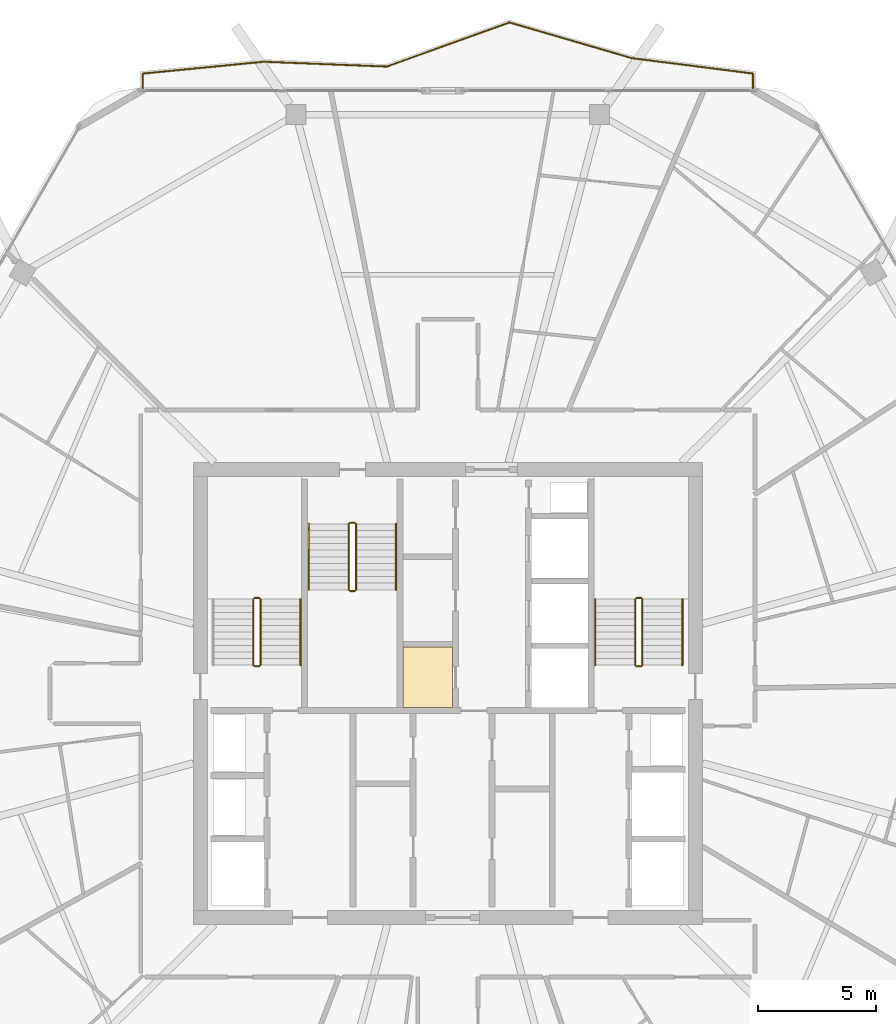
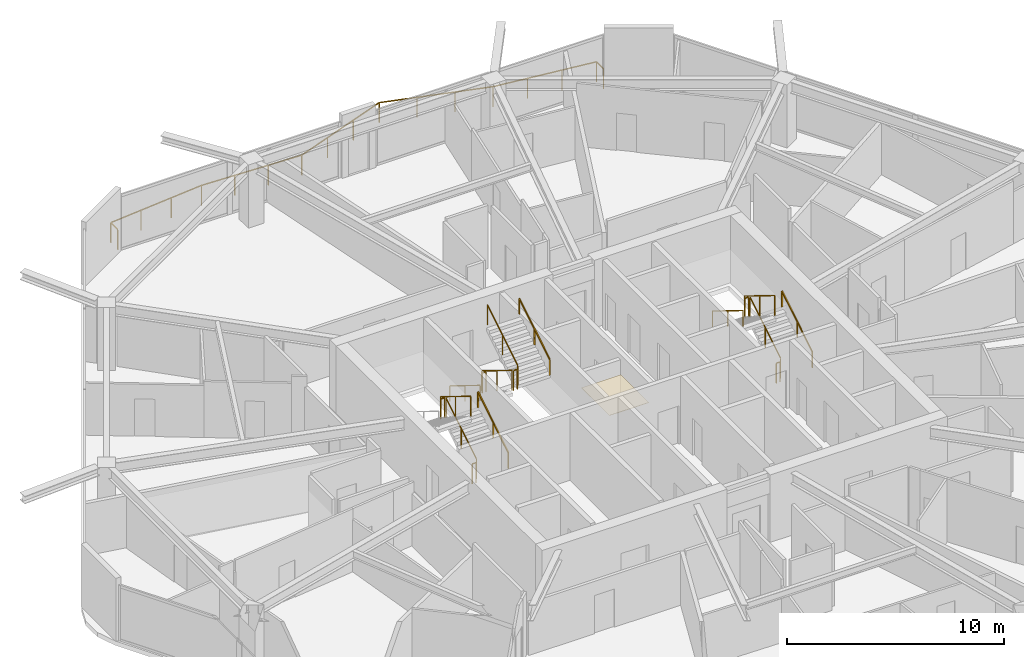
# One storey, part 26 of 26: 18 railings, 1 covering.
"""IFC4 building model written with IfcOpenShell, lengths in metres."""

from ifc_helpers import new_model, si_unit, direction, frame, origin, origin_2d, place, context, subcontext, project, spatial, polyline, rectangle, outline, extrude, material, layer, layer_set, type_object, element, save


model = new_model("IFC4")

# Units and contexts
model_context = context("Model", 3, precision=1e-05, world=origin(), true_north=direction((0.0, 1.0)))
body_context = subcontext(model_context, "Body", "Model", "MODEL_VIEW")
ifc_project = project(units=[si_unit("LENGTHUNIT", "METRE"), si_unit("AREAUNIT", "SQUARE_METRE"), si_unit("VOLUMEUNIT", "CUBIC_METRE"), si_unit("PLANEANGLEUNIT", "RADIAN"), si_unit("MASSUNIT", "GRAM", prefix="KILO")], contexts=[model_context])

# Site, building, storey
site_placement = place(None, origin())
site = spatial("IfcSite", under=ifc_project, at=site_placement, CompositionType="ELEMENT")
building_placement = place(site_placement, origin())
building = spatial("IfcBuilding", under=site, at=building_placement, Name="Zuhravey Tower", CompositionType="ELEMENT")
storey_placement = place(building_placement, frame((0.0, 0.0, 288.199951171875)))
storey = spatial("IfcBuildingStorey", under=building, at=storey_placement, Name="L73", CompositionType="ELEMENT", Elevation=288.199951171875)

# Railing
ifc_material_1 = material(Name="Stainless steel 316 and laminated glass", Category="steel")
railing_type_1 = type_object("IfcRailingType", Name="Balcony & Terrace Guardrail 1150", PredefinedType="BALUSTRADE", material=ifc_material_1)
railing_1_placement = place(storey_placement, frame((23.058349609375, 57.648681640625, 0.0)))
element("IfcRailing", 1, at=railing_1_placement, inside=storey, type_object=railing_type_1, Name="L73 Face 2 Wave Balcony Guardrail GR1", PredefinedType="BALUSTRADE", context=body_context, shape_type="SweptSolid", body=[
    extrude(rectangle(XDim=0.048095703125, YDim=0.048095703125, at=origin_2d()), frame((0.0, 0.001953125, 1.1259765625), z_axis=(0.0, 1.0, 0.0), x_axis=(-1.0, 0.0, 0.0)), (0.0, 0.0, 1.0), 0.645263671875),
    extrude(rectangle(XDim=0.048095703125, YDim=0.048095703125, at=origin_2d()), frame((0.001953125, 0.6494140625, 1.1259765625), z_axis=(0.995218760831, 0.097670968516, 0.0), x_axis=(-0.097670968516, 0.995218760831, 0.0)), (0.0, 0.0, 1.0), 5.14013671875),
    extrude(rectangle(XDim=0.048095703125, YDim=0.048095703125, at=origin_2d()), frame((5.12158203125, 1.151611328125, 1.1259765625), z_axis=(0.999235528272, -0.039094232816, 0.0), x_axis=(0.039094232816, 0.999235528272, 0.0)), (0.0, 0.0, 1.0), 5.229248046875),
    extrude(rectangle(XDim=0.048095703125, YDim=0.048095703125, at=origin_2d()), frame((10.350830078125, 0.94775390625, 1.1259765625), z_axis=(0.941043758184, 0.338284858046, 0.0), x_axis=(-0.338284858046, 0.941043758184, 0.0)), (0.0, 0.0, 1.0), 5.5263671875),
    extrude(rectangle(XDim=0.048095703125, YDim=0.048095703125, at=origin_2d()), frame((15.55517578125, 2.8173828125, 1.1259765625), z_axis=(0.960061143699, -0.279790279244, 0.0), x_axis=(0.279790279244, 0.960061143699, 0.0)), (0.0, 0.0, 1.0), 5.405029296875),
    extrude(rectangle(XDim=0.048095703125, YDim=0.048095703125, at=origin_2d()), frame((20.748291015625, 1.30419921875, 1.1259765625), z_axis=(0.992027087702, -0.126024827975, 0.0), x_axis=(0.126024827975, 0.992027087702, 0.0)), (0.0, 0.0, 1.0), 5.17431640625),
    extrude(rectangle(XDim=0.048095703125, YDim=0.048095703125, at=origin_2d()), frame((25.88330078125, 0.64990234375, 1.1259765625), z_axis=(0.0, -1.0, 0.0), x_axis=(1.0, 0.0, 0.0)), (0.0, 0.0, 1.0), 0.64794921875),
    extrude(rectangle(XDim=0.0419921875, YDim=0.0419921875, at=origin_2d()), origin(), (0.0, 0.0, 1.0), 1.099853515625),
    extrude(rectangle(XDim=0.0419921875, YDim=0.0419921875, at=origin_2d()), frame((0.0, 0.649169921875, 0.0)), (0.0, 0.0, 1.0), 1.099853515625),
    extrude(rectangle(XDim=0.0419921875, YDim=0.0419921875, at=origin_2d()), frame((1.70654296875, 0.816650390625, 0.0)), (0.0, 0.0, 1.0), 1.099853515625),
    extrude(rectangle(XDim=0.0419921875, YDim=0.0419921875, at=origin_2d()), frame((3.4130859375, 0.984130859375, 0.0)), (0.0, 0.0, 1.0), 1.099853515625),
    extrude(rectangle(XDim=0.0419921875, YDim=0.0419921875, at=origin_2d()), frame((5.11962890625, 1.151611328125, 0.0)), (0.0, 0.0, 1.0), 1.099853515625),
    extrude(rectangle(XDim=0.0419921875, YDim=0.0419921875, at=origin_2d()), frame((6.86279296875, 1.08349609375, 0.0)), (0.0, 0.0, 1.0), 1.099853515625),
    extrude(rectangle(XDim=0.0419921875, YDim=0.0419921875, at=origin_2d()), frame((8.605712890625, 1.01513671875, 0.0)), (0.0, 0.0, 1.0), 1.099853515625),
    extrude(rectangle(XDim=0.0419921875, YDim=0.0419921875, at=origin_2d()), frame((10.348876953125, 0.947021484375, 0.0)), (0.0, 0.0, 1.0), 1.099853515625),
    extrude(rectangle(XDim=0.0419921875, YDim=0.0419921875, at=origin_2d()), frame((12.083740234375, 1.570556640625, 0.0)), (0.0, 0.0, 1.0), 1.099853515625),
    extrude(rectangle(XDim=0.0419921875, YDim=0.0419921875, at=origin_2d()), frame((13.818359375, 2.1943359375, 0.0)), (0.0, 0.0, 1.0), 1.099853515625),
    extrude(rectangle(XDim=0.0419921875, YDim=0.0419921875, at=origin_2d()), frame((15.55322265625, 2.81787109375, 0.0)), (0.0, 0.0, 1.0), 1.099853515625),
    extrude(rectangle(XDim=0.0419921875, YDim=0.0419921875, at=origin_2d()), frame((17.2841796875, 2.3134765625, 0.0)), (0.0, 0.0, 1.0), 1.099853515625),
    extrude(rectangle(XDim=0.0419921875, YDim=0.0419921875, at=origin_2d()), frame((19.015380859375, 1.808837890625, 0.0)), (0.0, 0.0, 1.0), 1.099853515625),
    extrude(rectangle(XDim=0.0419921875, YDim=0.0419921875, at=origin_2d()), frame((20.746337890625, 1.304443359375, 0.0)), (0.0, 0.0, 1.0), 1.099853515625),
    extrude(rectangle(XDim=0.0419921875, YDim=0.0419921875, at=origin_2d()), frame((22.458740234375, 1.0869140625, 0.0)), (0.0, 0.0, 1.0), 1.099853515625),
    extrude(rectangle(XDim=0.0419921875, YDim=0.0419921875, at=origin_2d()), frame((24.1708984375, 0.869384765625, 0.0)), (0.0, 0.0, 1.0), 1.099853515625),
    extrude(rectangle(XDim=0.0419921875, YDim=0.0419921875, at=origin_2d()), frame((25.88330078125, 0.65185546875, 0.0)), (0.0, 0.0, 1.0), 1.099853515625),
    extrude(rectangle(XDim=0.0419921875, YDim=0.0419921875, at=origin_2d()), frame((25.88330078125, 0.0, 0.0)), (0.0, 0.0, 1.0), 1.099853515625),
])

# Covering
ifc_material_2 = material(Name="Moisture-resistant gypsum ceiling board")
ifc_layer = layer(ifc_material_2, 0.02001953125)
ifc_layer_set = layer_set([ifc_layer], Name="Moisture-resistant gypsum ceiling board")
covering_type = type_object("IfcCoveringType", Name="Moisture-Resistant Ceiling", PredefinedType="CEILING", material=ifc_layer_set)
covering_placement = place(storey_placement, frame((0.0, 0.0, 2.68994140625)))
element("IfcCovering", 2, at=covering_placement, inside=storey, type_object=covering_type, Name="L73 Wet-Room Ceiling CLG2", PredefinedType="CEILING", context=body_context, shape_type="SweptSolid", body=[
    extrude(outline(polyline([(36.199951171875, 31.39990234375), (36.199951171875, 33.97998046875), (34.10009765625, 33.97998046875), (34.10009765625, 31.39990234375), (36.199951171875, 31.39990234375)])), origin(), (0.0, 0.0, 1.0), 0.02001953125),
])

# Railings
ifc_material_3 = material(Name="Brushed stainless steel", Category="steel")
railing_type_2 = type_object("IfcRailingType", Name="Stair Wall Handrail 900", PredefinedType="HANDRAIL", material=ifc_material_3)
for number, where, name in (
    (3, (29.75, 33.199951171875, 0.1728515625), "L73 ST1 stair handrail 1"),
    (4, (45.949951171875, 33.199951171875, 0.1728515625), "L73 ST2 stair handrail 1"),
):
    element("IfcRailing", number, at=place(storey_placement, frame(where)), inside=storey, type_object=railing_type_2, Name=name, PredefinedType="HANDRAIL", context=body_context, shape_type="SweptSolid", body=[
        extrude(rectangle(XDim=0.048095703125, YDim=0.048095703125, at=origin_2d()), frame((0.0, 0.001708984375, 0.876953125), z_axis=(0.0, 0.851089632645, 0.525020415988), x_axis=(-1.0, 0.0, 0.0)), (0.0, 0.0, 1.0), 3.285888671875),
        extrude(rectangle(XDim=0.0419921875, YDim=0.0419921875, at=origin_2d()), origin(), (0.0, 0.0, 1.0), 0.849853515625),
        extrude(rectangle(XDim=0.0419921875, YDim=0.0419921875, at=origin_2d()), frame((0.0, 1.39990234375, 0.86376953125)), (0.0, 0.0, 1.0), 0.849853515625),
        extrude(rectangle(XDim=0.0419921875, YDim=0.0419921875, at=origin_2d()), frame((0.0, 2.800048828125, 1.727294921875)), (0.0, 0.0, 1.0), 0.849853515625),
    ])
for number, where, name in (
    (5, (42.25, 36.0, 2.07275390625), "L73 ST2 stair handrail 2"),
    (6, (30.10009765625, 39.199951171875, 0.1728515625), "L73 ST3 stair handrail 1"),
):
    element("IfcRailing", number, at=place(storey_placement, frame(where)), inside=storey, type_object=railing_type_2, Name=name, PredefinedType="HANDRAIL", context=body_context, shape_type="SweptSolid", body=[
        extrude(rectangle(XDim=0.048095703125, YDim=0.048095703125, at=origin_2d()), frame((0.0, -0.001708984375, 0.876953125), z_axis=(0.0, -0.851089632645, 0.525020415988), x_axis=(1.0, 0.0, 0.0)), (0.0, 0.0, 1.0), 3.285888671875),
        extrude(rectangle(XDim=0.0419921875, YDim=0.0419921875, at=origin_2d()), origin(), (0.0, 0.0, 1.0), 0.849853515625),
        extrude(rectangle(XDim=0.0419921875, YDim=0.0419921875, at=origin_2d()), frame((0.0, -1.39990234375, 0.86376953125)), (0.0, 0.0, 1.0), 0.849853515625),
        extrude(rectangle(XDim=0.0419921875, YDim=0.0419921875, at=origin_2d()), frame((0.0, -2.800048828125, 1.727294921875)), (0.0, 0.0, 1.0), 0.849853515625),
    ])
railing_2_placement = place(storey_placement, frame((33.800048828125, 36.39990234375, 2.07275390625)))
element("IfcRailing", 7, at=railing_2_placement, inside=storey, type_object=railing_type_2, Name="L73 ST3 stair handrail 2", PredefinedType="HANDRAIL", context=body_context, shape_type="SweptSolid", body=[
    extrude(rectangle(XDim=0.048095703125, YDim=0.048095703125, at=origin_2d()), frame((0.0, 0.001708984375, 0.876953125), z_axis=(0.0, 0.851089632645, 0.525020415988), x_axis=(-1.0, 0.0, 0.0)), (0.0, 0.0, 1.0), 3.285888671875),
    extrude(rectangle(XDim=0.0419921875, YDim=0.0419921875, at=origin_2d()), origin(), (0.0, 0.0, 1.0), 0.849853515625),
    extrude(rectangle(XDim=0.0419921875, YDim=0.0419921875, at=origin_2d()), frame((0.0, 1.39990234375, 0.86376953125)), (0.0, 0.0, 1.0), 0.849853515625),
    extrude(rectangle(XDim=0.0419921875, YDim=0.0419921875, at=origin_2d()), frame((0.0, 2.800048828125, 1.727294921875)), (0.0, 0.0, 1.0), 0.849853515625),
])
ifc_material_4 = material(Name="Painted tubular steel", Category="steel")
railing_type_3 = type_object("IfcRailingType", Name="Stair Well Guardrail 1150", PredefinedType="GUARDRAIL", material=ifc_material_4)
railing_3_placement = place(storey_placement, frame((28.050048828125, 33.199951171875, 0.1728515625)))
element("IfcRailing", 8, at=railing_3_placement, inside=storey, type_object=railing_type_3, Name="L73 ST1 stair guard 1", PredefinedType="GUARDRAIL", context=body_context, shape_type="SweptSolid", body=[
    extrude(rectangle(XDim=0.048095703125, YDim=0.048095703125, at=origin_2d()), frame((0.0, 0.001708984375, 1.126953125), z_axis=(0.0, 0.851089632645, 0.525020415988), x_axis=(-1.0, 0.0, 0.0)), (0.0, 0.0, 1.0), 3.285888671875),
    extrude(rectangle(XDim=0.0419921875, YDim=0.0419921875, at=origin_2d()), origin(), (0.0, 0.0, 1.0), 1.099853515625),
    extrude(rectangle(XDim=0.0419921875, YDim=0.0419921875, at=origin_2d()), frame((0.0, 1.39990234375, 0.86376953125)), (0.0, 0.0, 1.0), 1.099853515625),
    extrude(rectangle(XDim=0.0419921875, YDim=0.0419921875, at=origin_2d()), frame((0.0, 2.800048828125, 1.727294921875)), (0.0, 0.0, 1.0), 1.099853515625),
])
railing_4_placement = place(storey_placement, frame((28.0, 36.050048828125, 1.900146484375)))
element("IfcRailing", 9, at=railing_4_placement, inside=storey, type_object=railing_type_3, Name="L73 ST1 stair guard 2", PredefinedType="GUARDRAIL", context=body_context, shape_type="SweptSolid", body=[
    extrude(rectangle(XDim=0.048095703125, YDim=0.048095703125, at=origin_2d()), frame((-0.001953125, 0.0, 1.1259765625), z_axis=(-1.0, 0.0, 0.0), x_axis=(0.0, -1.0, 0.0)), (0.0, 0.0, 1.0), 0.196044921875),
    extrude(rectangle(XDim=0.0419921875, YDim=0.0419921875, at=origin_2d()), origin(), (0.0, 0.0, 1.0), 1.099853515625),
    extrude(rectangle(XDim=0.0419921875, YDim=0.0419921875, at=origin_2d()), frame((-0.199951171875, 0.0, 0.0)), (0.0, 0.0, 1.0), 1.099853515625),
])
railing_5_placement = place(storey_placement, frame((27.75, 36.0, 2.07275390625)))
element("IfcRailing", 10, at=railing_5_placement, inside=storey, type_object=railing_type_3, Name="L73 ST1 stair guard 3", PredefinedType="GUARDRAIL", context=body_context, shape_type="SweptSolid", body=[
    extrude(rectangle(XDim=0.048095703125, YDim=0.048095703125, at=origin_2d()), frame((0.0, -0.001708984375, 1.126953125), z_axis=(0.0, -0.851089632645, 0.525020415988), x_axis=(1.0, 0.0, 0.0)), (0.0, 0.0, 1.0), 3.285888671875),
    extrude(rectangle(XDim=0.0419921875, YDim=0.0419921875, at=origin_2d()), origin(), (0.0, 0.0, 1.0), 1.099853515625),
    extrude(rectangle(XDim=0.0419921875, YDim=0.0419921875, at=origin_2d()), frame((0.0, -1.39990234375, 0.86376953125)), (0.0, 0.0, 1.0), 1.099853515625),
    extrude(rectangle(XDim=0.0419921875, YDim=0.0419921875, at=origin_2d()), frame((0.0, -2.800048828125, 1.727294921875)), (0.0, 0.0, 1.0), 1.099853515625),
])
railing_6_placement = place(storey_placement, frame((28.0, 33.14990234375, 0.0)))
element("IfcRailing", 11, at=railing_6_placement, inside=storey, type_object=railing_type_3, Name="L73 ST1 stair guard 4", PredefinedType="GUARDRAIL", context=body_context, shape_type="SweptSolid", body=[
    extrude(rectangle(XDim=0.048095703125, YDim=0.048095703125, at=origin_2d()), frame((-0.001953125, 0.0, 1.1259765625), z_axis=(-1.0, 0.0, 0.0), x_axis=(0.0, -1.0, 0.0)), (0.0, 0.0, 1.0), 0.196044921875),
    extrude(rectangle(XDim=0.0419921875, YDim=0.0419921875, at=origin_2d()), origin(), (0.0, 0.0, 1.0), 1.099853515625),
    extrude(rectangle(XDim=0.0419921875, YDim=0.0419921875, at=origin_2d()), frame((-0.199951171875, 0.0, 0.0)), (0.0, 0.0, 1.0), 1.099853515625),
])
railing_7_placement = place(storey_placement, frame((44.25, 33.199951171875, 0.1728515625)))
element("IfcRailing", 12, at=railing_7_placement, inside=storey, type_object=railing_type_3, Name="L73 ST2 stair guard 1", PredefinedType="GUARDRAIL", context=body_context, shape_type="SweptSolid", body=[
    extrude(rectangle(XDim=0.048095703125, YDim=0.048095703125, at=origin_2d()), frame((0.0, 0.001708984375, 1.126953125), z_axis=(0.0, 0.851089632645, 0.525020415988), x_axis=(-1.0, 0.0, 0.0)), (0.0, 0.0, 1.0), 3.285888671875),
    extrude(rectangle(XDim=0.0419921875, YDim=0.0419921875, at=origin_2d()), origin(), (0.0, 0.0, 1.0), 1.099853515625),
    extrude(rectangle(XDim=0.0419921875, YDim=0.0419921875, at=origin_2d()), frame((0.0, 1.39990234375, 0.86376953125)), (0.0, 0.0, 1.0), 1.099853515625),
    extrude(rectangle(XDim=0.0419921875, YDim=0.0419921875, at=origin_2d()), frame((0.0, 2.800048828125, 1.727294921875)), (0.0, 0.0, 1.0), 1.099853515625),
])
railing_8_placement = place(storey_placement, frame((44.199951171875, 36.050048828125, 1.900146484375)))
element("IfcRailing", 13, at=railing_8_placement, inside=storey, type_object=railing_type_3, Name="L73 ST2 stair guard 2", PredefinedType="GUARDRAIL", context=body_context, shape_type="SweptSolid", body=[
    extrude(rectangle(XDim=0.048095703125, YDim=0.048095703125, at=origin_2d()), frame((-0.001953125, 0.0, 1.1259765625), z_axis=(-1.0, 0.0, 0.0), x_axis=(0.0, -1.0, 0.0)), (0.0, 0.0, 1.0), 0.196044921875),
    extrude(rectangle(XDim=0.0419921875, YDim=0.0419921875, at=origin_2d()), origin(), (0.0, 0.0, 1.0), 1.099853515625),
    extrude(rectangle(XDim=0.0419921875, YDim=0.0419921875, at=origin_2d()), frame((-0.199951171875, 0.0, 0.0)), (0.0, 0.0, 1.0), 1.099853515625),
])
railing_9_placement = place(storey_placement, frame((43.949951171875, 36.0, 2.07275390625)))
element("IfcRailing", 14, at=railing_9_placement, inside=storey, type_object=railing_type_3, Name="L73 ST2 stair guard 3", PredefinedType="GUARDRAIL", context=body_context, shape_type="SweptSolid", body=[
    extrude(rectangle(XDim=0.048095703125, YDim=0.048095703125, at=origin_2d()), frame((0.0, -0.001708984375, 1.126953125), z_axis=(0.0, -0.851089632645, 0.525020415988), x_axis=(1.0, 0.0, 0.0)), (0.0, 0.0, 1.0), 3.285888671875),
    extrude(rectangle(XDim=0.0419921875, YDim=0.0419921875, at=origin_2d()), origin(), (0.0, 0.0, 1.0), 1.099853515625),
    extrude(rectangle(XDim=0.0419921875, YDim=0.0419921875, at=origin_2d()), frame((0.0, -1.39990234375, 0.86376953125)), (0.0, 0.0, 1.0), 1.099853515625),
    extrude(rectangle(XDim=0.0419921875, YDim=0.0419921875, at=origin_2d()), frame((0.0, -2.800048828125, 1.727294921875)), (0.0, 0.0, 1.0), 1.099853515625),
])
railing_10_placement = place(storey_placement, frame((44.199951171875, 33.14990234375, 0.0)))
element("IfcRailing", 15, at=railing_10_placement, inside=storey, type_object=railing_type_3, Name="L73 ST2 stair guard 4", PredefinedType="GUARDRAIL", context=body_context, shape_type="SweptSolid", body=[
    extrude(rectangle(XDim=0.048095703125, YDim=0.048095703125, at=origin_2d()), frame((-0.001953125, 0.0, 1.1259765625), z_axis=(-1.0, 0.0, 0.0), x_axis=(0.0, -1.0, 0.0)), (0.0, 0.0, 1.0), 0.196044921875),
    extrude(rectangle(XDim=0.0419921875, YDim=0.0419921875, at=origin_2d()), origin(), (0.0, 0.0, 1.0), 1.099853515625),
    extrude(rectangle(XDim=0.0419921875, YDim=0.0419921875, at=origin_2d()), frame((-0.199951171875, 0.0, 0.0)), (0.0, 0.0, 1.0), 1.099853515625),
])
railing_11_placement = place(storey_placement, frame((31.800048828125, 39.199951171875, 0.1728515625)))
element("IfcRailing", 16, at=railing_11_placement, inside=storey, type_object=railing_type_3, Name="L73 ST3 stair guard 1", PredefinedType="GUARDRAIL", context=body_context, shape_type="SweptSolid", body=[
    extrude(rectangle(XDim=0.048095703125, YDim=0.048095703125, at=origin_2d()), frame((0.0, -0.001708984375, 1.126953125), z_axis=(0.0, -0.851089632645, 0.525020415988), x_axis=(1.0, 0.0, 0.0)), (0.0, 0.0, 1.0), 3.285888671875),
    extrude(rectangle(XDim=0.0419921875, YDim=0.0419921875, at=origin_2d()), origin(), (0.0, 0.0, 1.0), 1.099853515625),
    extrude(rectangle(XDim=0.0419921875, YDim=0.0419921875, at=origin_2d()), frame((0.0, -1.39990234375, 0.86376953125)), (0.0, 0.0, 1.0), 1.099853515625),
    extrude(rectangle(XDim=0.0419921875, YDim=0.0419921875, at=origin_2d()), frame((0.0, -2.800048828125, 1.727294921875)), (0.0, 0.0, 1.0), 1.099853515625),
])
railing_12_placement = place(storey_placement, frame((31.85009765625, 36.35009765625, 1.900146484375)))
element("IfcRailing", 17, at=railing_12_placement, inside=storey, type_object=railing_type_3, Name="L73 ST3 stair guard 2", PredefinedType="GUARDRAIL", context=body_context, shape_type="SweptSolid", body=[
    extrude(rectangle(XDim=0.048095703125, YDim=0.048095703125, at=origin_2d()), frame((0.001953125, 0.0, 1.1259765625), z_axis=(1.0, 0.0, 0.0), x_axis=(0.0, 1.0, 0.0)), (0.0, 0.0, 1.0), 0.196044921875),
    extrude(rectangle(XDim=0.0419921875, YDim=0.0419921875, at=origin_2d()), origin(), (0.0, 0.0, 1.0), 1.099853515625),
    extrude(rectangle(XDim=0.0419921875, YDim=0.0419921875, at=origin_2d()), frame((0.199951171875, 0.0, 0.0)), (0.0, 0.0, 1.0), 1.099853515625),
])
railing_13_placement = place(storey_placement, frame((32.10009765625, 36.39990234375, 2.07275390625)))
element("IfcRailing", 18, at=railing_13_placement, inside=storey, type_object=railing_type_3, Name="L73 ST3 stair guard 3", PredefinedType="GUARDRAIL", context=body_context, shape_type="SweptSolid", body=[
    extrude(rectangle(XDim=0.048095703125, YDim=0.048095703125, at=origin_2d()), frame((0.0, 0.001708984375, 1.126953125), z_axis=(0.0, 0.851089632645, 0.525020415988), x_axis=(-1.0, 0.0, 0.0)), (0.0, 0.0, 1.0), 3.285888671875),
    extrude(rectangle(XDim=0.0419921875, YDim=0.0419921875, at=origin_2d()), origin(), (0.0, 0.0, 1.0), 1.099853515625),
    extrude(rectangle(XDim=0.0419921875, YDim=0.0419921875, at=origin_2d()), frame((0.0, 1.39990234375, 0.86376953125)), (0.0, 0.0, 1.0), 1.099853515625),
    extrude(rectangle(XDim=0.0419921875, YDim=0.0419921875, at=origin_2d()), frame((0.0, 2.800048828125, 1.727294921875)), (0.0, 0.0, 1.0), 1.099853515625),
])
railing_14_placement = place(storey_placement, frame((31.85009765625, 39.25, 0.0)))
element("IfcRailing", 19, at=railing_14_placement, inside=storey, type_object=railing_type_3, Name="L73 ST3 stair guard 4", PredefinedType="GUARDRAIL", context=body_context, shape_type="SweptSolid", body=[
    extrude(rectangle(XDim=0.048095703125, YDim=0.048095703125, at=origin_2d()), frame((0.001953125, 0.0, 1.1259765625), z_axis=(1.0, 0.0, 0.0), x_axis=(0.0, 1.0, 0.0)), (0.0, 0.0, 1.0), 0.196044921875),
    extrude(rectangle(XDim=0.0419921875, YDim=0.0419921875, at=origin_2d()), origin(), (0.0, 0.0, 1.0), 1.099853515625),
    extrude(rectangle(XDim=0.0419921875, YDim=0.0419921875, at=origin_2d()), frame((0.199951171875, 0.0, 0.0)), (0.0, 0.0, 1.0), 1.099853515625),
])

save(model, "model.ifc")
